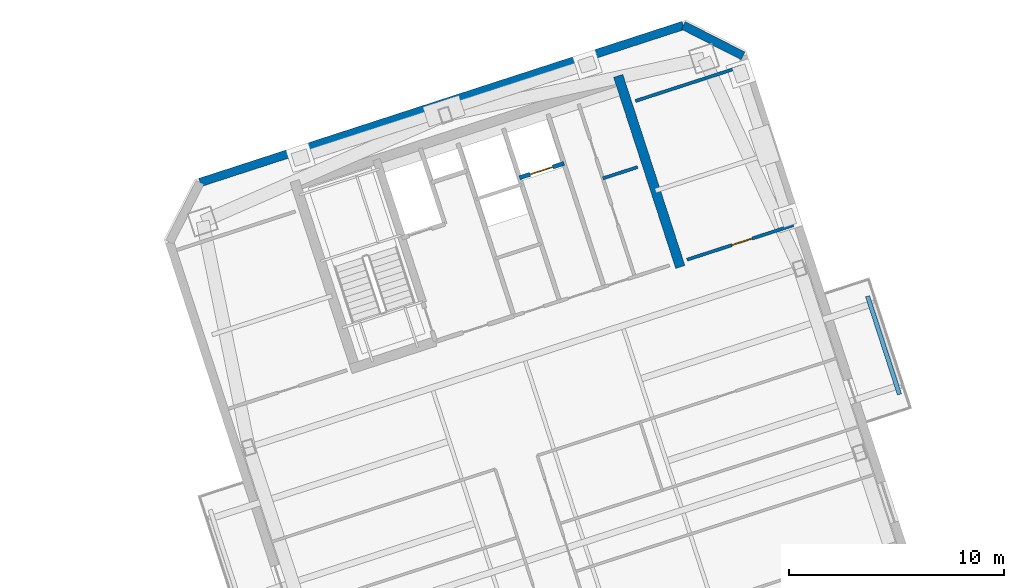
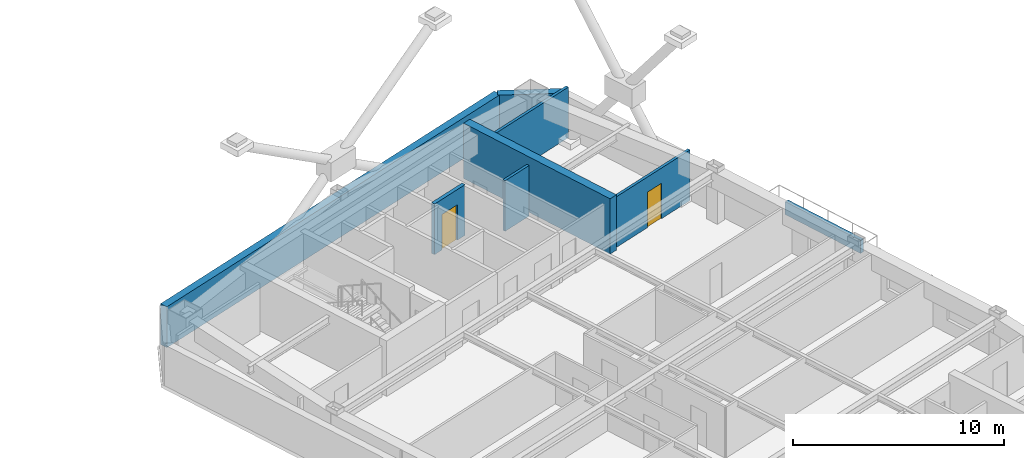
# One storey, part 11 of 16: 8 walls, 2 doors, 2 openings.
"""IFC4 building model written with IfcOpenShell, lengths in metres."""

from ifc_helpers import new_model, si_unit, direction, frame, frame_2d, origin, place, context, subcontext, project, spatial, rectangle, extrude, material, layer, layer_set, type_object, element, fill, save


model = new_model("IFC4")

# Units and contexts
model_context = context("Model", 3, precision=1e-05, world=origin(), true_north=direction((0.0, 1.0)))
body_context = subcontext(model_context, "Body", "Model", "MODEL_VIEW")
ifc_project = project(units=[si_unit("LENGTHUNIT", "METRE"), si_unit("AREAUNIT", "SQUARE_METRE"), si_unit("VOLUMEUNIT", "CUBIC_METRE"), si_unit("PLANEANGLEUNIT", "RADIAN"), si_unit("MASSUNIT", "GRAM", prefix="KILO")], contexts=[model_context])

# Site, building, storey
site_placement = place(None, origin())
site = spatial("IfcSite", under=ifc_project, at=site_placement, CompositionType="ELEMENT")
building_placement = place(site_placement, origin())
building = spatial("IfcBuilding", under=site, at=building_placement, Name="Qiaolan Cultural Towers", CompositionType="ELEMENT")
storey_placement = place(building_placement, frame((0.0, 0.0, 240.800048828125)))
storey = spatial("IfcBuildingStorey", under=building, at=storey_placement, Name="L65", CompositionType="ELEMENT", Elevation=240.800048828125)

# Walls
ifc_material_1 = material(Name="Concrete C50", Category="concrete")
ifc_layer_1 = layer(ifc_material_1, 0.449951171875)
ifc_layer_set_1 = layer_set([ifc_layer_1], Name="Concrete C50")
wall_type_1 = type_object("IfcWallType", Name="WL-CORE-450", PredefinedType="SHEAR", material=ifc_layer_set_1)
wall_1_placement = place(storey_placement, frame((94.468994140625, 46.781494140625, 0.0), z_axis=(0.0, 0.0, 1.0), x_axis=(-0.309004419953, 0.951060601881, 0.0)))
element("IfcWall", 1, at=wall_1_placement, inside=storey, type_object=wall_type_1, Name="L65 T2-CN East Core Shear Wall", PredefinedType="SHEAR", context=body_context, shape_type="SweptSolid", body=[
    extrude(rectangle(XDim=9.330078125, YDim=0.449951171875, at=frame_2d((4.6650390625, 0.0))), origin(), (0.0, 0.0, 1.0), 3.199951171875),
])
ifc_material_2 = material(Name="Precast Concrete C50 Honed Stone Pier", Category="masonry")
ifc_layer_2 = layer(ifc_material_2, 0.39990234375)
ifc_layer_set_2 = layer_set([ifc_layer_2], Name="Precast Concrete C50 Honed Stone Pier")
wall_type_2 = type_object("IfcWallType", Name="WL-EXT-PIER-400", PredefinedType="SOLIDWALL", material=ifc_layer_set_2)
wall_2_placement = place(storey_placement, frame((72.16455078125, 50.706298828125, 0.0), z_axis=(0.0, 0.0, 1.0), x_axis=(0.951058012937, 0.309012388148, 0.0)))
element("IfcWall", 2, at=wall_2_placement, inside=storey, type_object=wall_type_2, Name="L65 East Tower Precast Pier Facade Wall F3", PredefinedType="SOLIDWALL", context=body_context, shape_type="SweptSolid", body=[
    extrude(rectangle(XDim=23.60009765625, YDim=0.39990234375, at=frame_2d((11.800048828125, 0.0))), origin(), (0.0, 0.0, 1.0), 2.35986328125),
])
wall_3_placement = place(storey_placement, frame((94.609619140625, 57.9990234375, 0.0), z_axis=(0.0, 0.0, 1.0), x_axis=(0.890979603174, -0.454043331334, 0.0)))
element("IfcWall", 3, at=wall_3_placement, inside=storey, type_object=wall_type_2, Name="L65 East Tower Precast Pier Facade Wall F4", PredefinedType="SOLIDWALL", context=body_context, shape_type="SweptSolid", body=[
    extrude(rectangle(XDim=3.111083984375, YDim=0.39990234375, at=frame_2d((1.5556640625, 0.0))), origin(), (0.0, 0.0, 1.0), 2.35986328125),
])

# Wall, opening, door
ifc_material_3 = material(Name="Concrete C35 Fire Wall", Category="concrete")
ifc_layer_3 = layer(ifc_material_3, 0.199951171875)
ifc_layer_set_3 = layer_set([ifc_layer_3], Name="Concrete C35 Fire Wall")
wall_type_3 = type_object("IfcWallType", Name="WL-FIRE-200", PredefinedType="PARTITIONING", material=ifc_layer_set_3)
wall_4_placement = place(storey_placement, frame((87.004150390625, 50.92236328125, 0.0), z_axis=(0.0, 0.0, 1.0), x_axis=(0.951041509718, 0.309063176055, 0.0)))
wall_4 = element("IfcWall", 4, at=wall_4_placement, inside=storey, type_object=wall_type_3, Name="L65 T2-CN Shuttle Lift Shaft Front", PredefinedType="PARTITIONING", context=body_context, shape_type="SweptSolid", body=[
    extrude(rectangle(XDim=2.169921875, YDim=0.199951171875, at=frame_2d((1.0849609375, 0.0))), origin(), (0.0, 0.0, 1.0), 2.925048828125),
])
opening_1_placement = place(wall_4_placement, frame((0.52001953125, 0.0, 0.0)))
opening_1 = element("IfcOpeningElement", 5, at=opening_1_placement, cuts=wall_4, Name="Opening LD-01", PredefinedType="OPENING", context=body_context, shape_type="SweptSolid", body=[
    extrude(rectangle(XDim=1.10009765625, YDim=2.050048828125, at=frame_2d((0.550048828125, 1.02490234375))), frame((0.0, 0.10986328125, 0.0), z_axis=(0.0, -1.0, 0.0), x_axis=(1.0, 0.0, 0.0)), (0.0, 0.0, 1.0), 0.219970703125),
])
ifc_material_4 = material(Name="Brushed Stainless Steel S30408 Centre-Parting Lift Landing Door", Category="steel")
door_type_1 = type_object("IfcDoorType", Name="DR-LIFT-1100", OperationType="NOTDEFINED", PredefinedType="DOOR", material=ifc_material_4)
door_1_placement = place(opening_1_placement, origin())
door_1 = element("IfcDoor", 6, at=door_1_placement, inside=storey, type_object=door_type_1, Name="L65 Sky Shuttle Lift Landing Door", OperationType="DOUBLE_DOOR_SLIDING", OverallHeight=2.050048828125, OverallWidth=1.10009765625, PredefinedType="DOOR", context=body_context, shape_type="SweptSolid", body=[
    extrude(rectangle(XDim=1.10009765625, YDim=2.050048828125, at=frame_2d((0.550048828125, 1.02490234375))), frame((0.0, 0.02490234375, 0.0), z_axis=(0.0, -1.0, 0.0), x_axis=(1.0, 0.0, 0.0)), (0.0, 0.0, 1.0), 0.050048828125),
])
fill(opening_1, door_1)

# Walls
ifc_material_5 = material(Name="Autoclaved Aerated Concrete Block B06", Category="concrete")
ifc_layer_4 = layer(ifc_material_5, 0.14990234375)
ifc_layer_set_4 = layer_set([ifc_layer_4], Name="Autoclaved Aerated Concrete Block B06")
wall_type_4 = type_object("IfcWallType", Name="WL-PART-150", PredefinedType="PARTITIONING", material=ifc_layer_set_4)
wall_5_placement = place(storey_placement, frame((90.871337890625, 50.896240234375, 0.0), z_axis=(0.0, 0.0, 1.0), x_axis=(0.951054116971, 0.309024378638, 0.0)))
element("IfcWall", 7, at=wall_5_placement, inside=storey, type_object=wall_type_4, Name="L65 T2-CN First-Aid Wall", PredefinedType="PARTITIONING", context=body_context, shape_type="SweptSolid", body=[
    extrude(rectangle(XDim=1.7001953125, YDim=0.14990234375, at=frame_2d((0.85009765625, 0.0))), origin(), (0.0, 0.0, 1.0), 2.925048828125),
])
wall_6_placement = place(storey_placement, frame((92.385009765625, 54.48974609375, 0.0), z_axis=(0.0, 0.0, 1.0), x_axis=(0.951055112834, 0.309021313752, 0.0)))
element("IfcWall", 8, at=wall_6_placement, inside=storey, type_object=wall_type_4, Name="L65 T2 Flank Wall FLK-NE", PredefinedType="PARTITIONING", context=body_context, shape_type="SweptSolid", body=[
    extrude(rectangle(XDim=5.2001953125, YDim=0.14990234375, at=frame_2d((2.60009765625, 0.0))), origin(), (0.0, 0.0, 1.0), 2.925048828125),
])

# Wall, opening, door
wall_7_placement = place(storey_placement, frame((94.77978515625, 47.119140625, 0.0), z_axis=(0.0, 0.0, 1.0), x_axis=(0.951055112834, 0.309021313752, 0.0)))
wall_7 = element("IfcWall", 9, at=wall_7_placement, inside=storey, type_object=wall_type_4, Name="L65 T2 Flank Front FLK-NE", PredefinedType="PARTITIONING", context=body_context, shape_type="SweptSolid", body=[
    extrude(rectangle(XDim=5.2001953125, YDim=0.14990234375, at=frame_2d((2.60009765625, 0.0))), origin(), (0.0, 0.0, 1.0), 2.925048828125),
])
opening_2_placement = place(wall_7_placement, frame((2.18408203125, 0.0, 0.0)))
opening_2 = element("IfcOpeningElement", 10, at=opening_2_placement, cuts=wall_7, Name="Opening ID-04", PredefinedType="OPENING", context=body_context, shape_type="SweptSolid", body=[
    extrude(rectangle(XDim=1.0, YDim=2.050048828125, at=frame_2d((0.5, 1.02490234375))), frame((0.0, 0.0849609375, 0.0), z_axis=(0.0, -1.0, 0.0), x_axis=(1.0, 0.0, 0.0)), (0.0, 0.0, 1.0), 0.169921875),
])
ifc_material_6 = material(Name="Oak Veneer Acoustic Office Door", Category="timber")
door_type_2 = type_object("IfcDoorType", Name="DR-INT-1000", OperationType="NOTDEFINED", PredefinedType="DOOR", material=ifc_material_6)
door_2_placement = place(opening_2_placement, origin())
door_2 = element("IfcDoor", 11, at=door_2_placement, inside=storey, type_object=door_type_2, Name="L65 T2 Corner Studio Door", OperationType="SINGLE_SWING_LEFT", OverallHeight=2.050048828125, OverallWidth=1.0, PredefinedType="DOOR", context=body_context, shape_type="SweptSolid", body=[
    extrude(rectangle(XDim=1.0, YDim=2.050048828125, at=frame_2d((0.5, 1.02490234375))), frame((0.0, 0.02490234375, 0.0), z_axis=(0.0, -1.0, 0.0), x_axis=(1.0, 0.0, 0.0)), (0.0, 0.0, 1.0), 0.050048828125),
])
fill(opening_2, door_2)

# Wall
ifc_material_7 = material(Name="Precast Concrete C45 Tree Planter Upstand", Category="concrete")
ifc_layer_5 = layer(ifc_material_7, 0.199951171875)
ifc_layer_set_5 = layer_set([ifc_layer_5], Name="Precast Concrete C45 Tree Planter Upstand")
wall_type_5 = type_object("IfcWallType", Name="WL-PLANTER-200", PredefinedType="PARAPET", material=ifc_layer_set_5)
wall_8_placement = place(storey_placement, frame((104.646484375, 40.86181640625, 0.0), z_axis=(0.0, 0.0, 1.0), x_axis=(-0.309032019345, 0.951051634255, 0.0)))
element("IfcWall", 12, at=wall_8_placement, inside=storey, type_object=wall_type_5, Name="L65 T2 Tree Balcony Soil Planter Box E", PredefinedType="PARAPET", context=body_context, shape_type="SweptSolid", body=[
    extrude(rectangle(XDim=4.800048828125, YDim=0.199951171875, at=frame_2d((2.39990234375, 0.0))), origin(), (0.0, 0.0, 1.0), 0.75),
])

save(model, "model.ifc")
